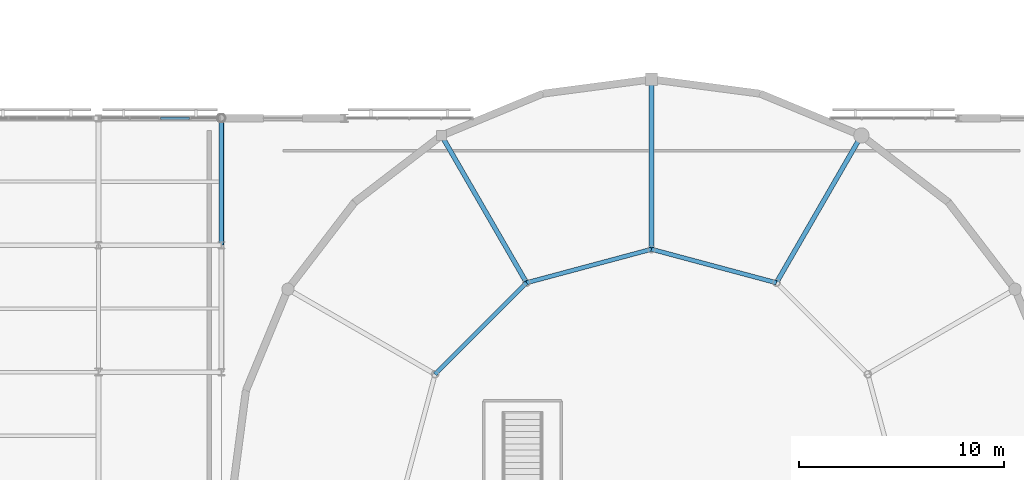
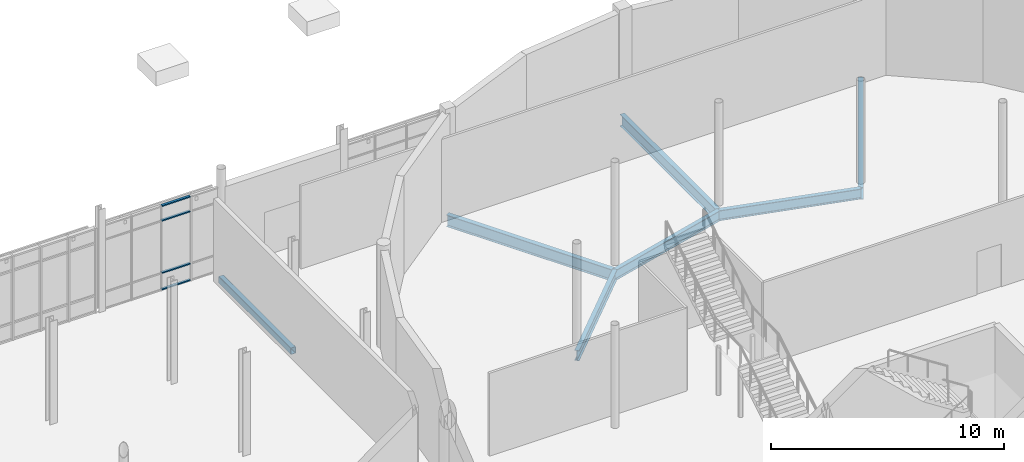
# One storey, part 43 of 98: 7 beams, 4 members, 1 element without a shape of its own.
"""IFC4 building model written with IfcOpenShell, lengths in metres."""

from ifc_helpers import new_model, si_unit, direction, frame, origin, origin_2d, place, context, subcontext, project, spatial, rectangle, hollow_rectangle, i_section, extrude, material, layer, layer_set, material_profile, profile_set, type_object, element, aggregate, save


model = new_model("IFC4")

# Units and contexts
model_context = context("Model", 3, precision=1e-05, world=origin(), true_north=direction((0.0, 1.0)))
body_context = subcontext(model_context, "Body", "Model", "MODEL_VIEW")
ifc_project = project(units=[si_unit("LENGTHUNIT", "METRE"), si_unit("AREAUNIT", "SQUARE_METRE"), si_unit("VOLUMEUNIT", "CUBIC_METRE"), si_unit("PLANEANGLEUNIT", "RADIAN"), si_unit("MASSUNIT", "GRAM", prefix="KILO")], contexts=[model_context])

# Site, building, storey
site_placement = place(None, origin())
site = spatial("IfcSite", under=ifc_project, at=site_placement, CompositionType="ELEMENT")
building_placement = place(site_placement, origin())
building = spatial("IfcBuilding", under=site, at=building_placement, Name="Mirzam Square Science Centre", CompositionType="ELEMENT")
storey_placement = place(building_placement, origin())
storey = spatial("IfcBuildingStorey", under=building, at=storey_placement, Name="L00", CompositionType="ELEMENT", Elevation=0.0)

# Beams
ifc_material_1 = material(Name="Steel S355", Category="steel")
ifc_material_profile_1 = material_profile(ifc_material_1, i_section(OverallWidth=0.2099609375, OverallDepth=0.53662109375, WebThickness=0.0107421875, FlangeThickness=0.017333984375, FilletRadius=0.0126953125, at=origin_2d()), Name="533x210x101UB")
ifc_profile_set_1 = profile_set([ifc_material_profile_1], Name="Steel S355")
beam_type_1 = type_object("IfcBeamType", Name="BM-UB533", PredefinedType="BEAM", material=ifc_profile_set_1)
for number, where, z_axis, x_axis, name in (
    (1, (87.10009765625, 72.5654296875, -0.568359375), (-0.965925618712, 0.25881981979, 0.0), (-0.25881981979, -0.965925618712, 0.0), "L00 inner drum ring girder 03"),
    (2, (81.0, 74.199951171875, -0.568359375), (-0.965925618712, -0.25881981979, 0.0), (0.25881981979, -0.965925618712, 0.0), "L00 inner drum ring girder 04"),
):
    element("IfcBeam", number, at=place(storey_placement, frame(where, z_axis=z_axis, x_axis=x_axis)), inside=storey, type_object=beam_type_1, Name=name, PredefinedType="BEAM", context=body_context, shape_type="SweptSolid", body=[
        extrude(i_section(OverallWidth=0.2099609375, OverallDepth=0.53662109375, WebThickness=0.0107421875, FlangeThickness=0.017333984375, FilletRadius=0.0126953125, at=origin_2d()), origin(), (0.0, 0.0, 1.0), 6.315185546875),
    ])
beam_1_placement = place(storey_placement, frame((74.89990234375, 72.5654296875, -0.568359375), z_axis=(-0.707106781187, -0.707106781187, 0.0), x_axis=(0.707106781187, -0.707106781187, 0.0)))
element("IfcBeam", 3, at=beam_1_placement, inside=storey, type_object=beam_type_1, Name="L00 inner drum ring girder 05", PredefinedType="BEAM", context=body_context, shape_type="SweptSolid", body=[
    extrude(i_section(OverallWidth=0.2099609375, OverallDepth=0.53662109375, WebThickness=0.0107421875, FlangeThickness=0.017333984375, FilletRadius=0.0126953125, at=origin_2d()), origin(), (0.0, 0.0, 1.0), 6.31494140625),
])
ifc_material_profile_2 = material_profile(ifc_material_1, i_section(OverallWidth=0.22900390625, OverallDepth=0.6123046875, WebThickness=0.011962890625, FlangeThickness=0.01953125, FilletRadius=0.0126953125, at=origin_2d()), Name="610x229x125UB")
ifc_profile_set_2 = profile_set([ifc_material_profile_2], Name="Steel S355")
beam_type_2 = type_object("IfcBeamType", Name="BM-UB610", PredefinedType="BEAM", material=ifc_profile_set_2)
for number, where, z_axis, x_axis, name in (
    (4, (87.10009765625, 72.5654296875, -0.606201171875), (0.499992353047, 0.86602981871, 0.0), (-0.86602981871, 0.499992353047, 0.0), "L00 drum radial girder 03"),
    (5, (81.0, 74.199951171875, -0.606201171875), (0.0, 1.0, 0.0), (-1.0, 0.0, 0.0), "L00 drum radial girder 04"),
    (6, (74.89990234375, 72.5654296875, -0.606201171875), (-0.499992353047, 0.86602981871, 0.0), (-0.86602981871, -0.499992353047, 0.0), "L00 drum radial girder 05"),
):
    element("IfcBeam", number, at=place(storey_placement, frame(where, z_axis=z_axis, x_axis=x_axis)), inside=storey, type_object=beam_type_2, Name=name, PredefinedType="BEAM", context=body_context, shape_type="SweptSolid", body=[
        extrude(i_section(OverallWidth=0.22900390625, OverallDepth=0.6123046875, WebThickness=0.011962890625, FlangeThickness=0.01953125, FilletRadius=0.0126953125, at=origin_2d()), origin(), (0.0, 0.0, 1.0), 8.300048828125),
    ])

# Curtain wall, members
ifc_material_2 = material(Name="Anodised Aluminium and Low-E Solar Glass", Category="aluminium")
ifc_layer = layer(ifc_material_2, 0.199951171875)
ifc_layer_set = layer_set([ifc_layer], Name="CW-EAST-A")
curtain_wall_type = type_object("IfcCurtainWallType", Name="CW-EAST-A", PredefinedType="USERDEFINED", material=ifc_layer_set)
curtain_wall_placement = place(storey_placement, origin())
curtain_wall = element("IfcCurtainWall", 7, at=curtain_wall_placement, inside=storey, type_object=curtain_wall_type, Name="L00 unitised curtain wall 6", ObjectType="UNITISED CURTAIN WALL", PredefinedType="USERDEFINED")
ifc_material_3 = material(Name="Anodised Architectural Aluminium 6063-T6", Category="aluminium")
ifc_material_profile_3 = material_profile(ifc_material_3, rectangle(XDim=0.1201171875, YDim=0.06005859375, at=origin_2d()), Name="ALU-TRAN-120x60x4")
ifc_profile_set_3 = profile_set([ifc_material_profile_3], Name="Anodised Architectural Aluminium 6063-T6")
member_type = type_object("IfcMemberType", Name="CWT-120", PredefinedType="USERDEFINED", material=ifc_profile_set_3)
member_1_placement = place(storey_placement, frame((58.4423828125, 80.60009765625, 0.030029296875), z_axis=(-1.0, 0.0, 0.0), x_axis=(0.0, -1.0, 0.0)))
member_1 = element("IfcMember", 8, at=member_1_placement, type_object=member_type, Name="CW-05 transom 2.1", ObjectType="TRANSOM", PredefinedType="USERDEFINED", context=body_context, shape_type="SweptSolid", body=[
    extrude(rectangle(XDim=0.1201171875, YDim=0.06005859375, at=origin_2d()), origin(), (0.0, 0.0, 1.0), 1.412353515625),
])
member_2_placement = place(storey_placement, frame((58.4423828125, 80.60009765625, 0.89990234375), z_axis=(-1.0, 0.0, 0.0), x_axis=(0.0, -1.0, 0.0)))
member_2 = element("IfcMember", 9, at=member_2_placement, type_object=member_type, Name="CW-05 transom 2.2", ObjectType="TRANSOM", PredefinedType="USERDEFINED", context=body_context, shape_type="SweptSolid", body=[
    extrude(rectangle(XDim=0.1201171875, YDim=0.06005859375, at=origin_2d()), origin(), (0.0, 0.0, 1.0), 1.412353515625),
])
member_3_placement = place(storey_placement, frame((58.4423828125, 80.60009765625, 3.639892578125), z_axis=(-1.0, 0.0, 0.0), x_axis=(0.0, -1.0, 0.0)))
member_3 = element("IfcMember", 10, at=member_3_placement, type_object=member_type, Name="CW-05 transom 2.3", ObjectType="TRANSOM", PredefinedType="USERDEFINED", context=body_context, shape_type="SweptSolid", body=[
    extrude(rectangle(XDim=0.1201171875, YDim=0.06005859375, at=origin_2d()), origin(), (0.0, 0.0, 1.0), 1.412353515625),
])
member_4_placement = place(storey_placement, frame((58.4423828125, 80.60009765625, 4.409912109375), z_axis=(-1.0, 0.0, 0.0), x_axis=(0.0, -1.0, 0.0)))
member_4 = element("IfcMember", 11, at=member_4_placement, type_object=member_type, Name="CW-05 transom 2.4", ObjectType="TRANSOM", PredefinedType="USERDEFINED", context=body_context, shape_type="SweptSolid", body=[
    extrude(rectangle(XDim=0.1201171875, YDim=0.06005859375, at=origin_2d()), origin(), (0.0, 0.0, 1.0), 1.412353515625),
])
aggregate(curtain_wall, [member_1, member_2, member_3, member_4])

# Beam
ifc_material_profile_4 = material_profile(ifc_material_1, hollow_rectangle(XDim=0.25, YDim=0.35009765625, WallThickness=0.012451171875, InnerFilletRadius=0.012451171875, OuterFilletRadius=0.02490234375, at=origin_2d()), Name="350x250x12.5RHS")
ifc_profile_set_4 = profile_set([ifc_material_profile_4], Name="Steel S355")
beam_type_3 = type_object("IfcBeamType", Name="SP-RHS350", PredefinedType="SPANDREL", material=ifc_profile_set_4)
beam_2_placement = place(storey_placement, frame((60.0, 74.39990234375, -0.47509765625), z_axis=(0.0, 1.0, 0.0), x_axis=(-1.0, 0.0, 0.0)))
element("IfcBeam", 12, at=beam_2_placement, inside=storey, type_object=beam_type_3, Name="L00 girder Y11-13", PredefinedType="SPANDREL", context=body_context, shape_type="SweptSolid", body=[
    extrude(hollow_rectangle(XDim=0.25, YDim=0.35009765625, WallThickness=0.012451171875, InnerFilletRadius=0.012451171875, OuterFilletRadius=0.02490234375, at=origin_2d()), origin(), (0.0, 0.0, 1.0), 6.2001953125),
])

save(model, "model.ifc")
